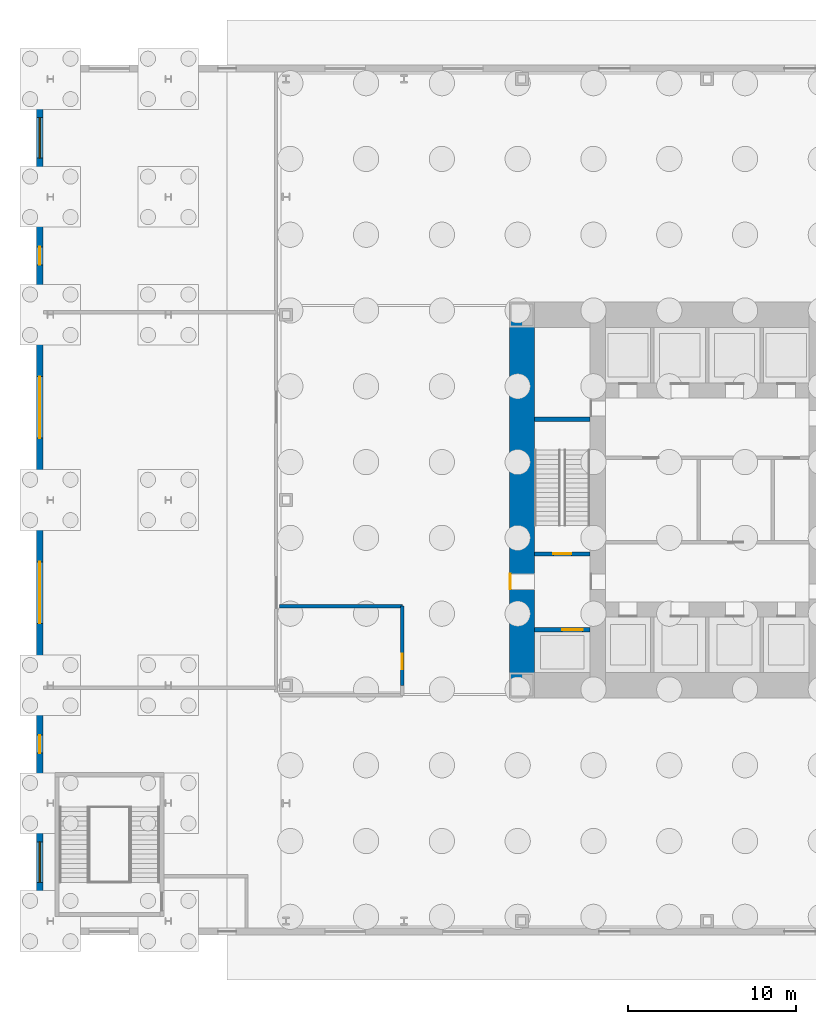
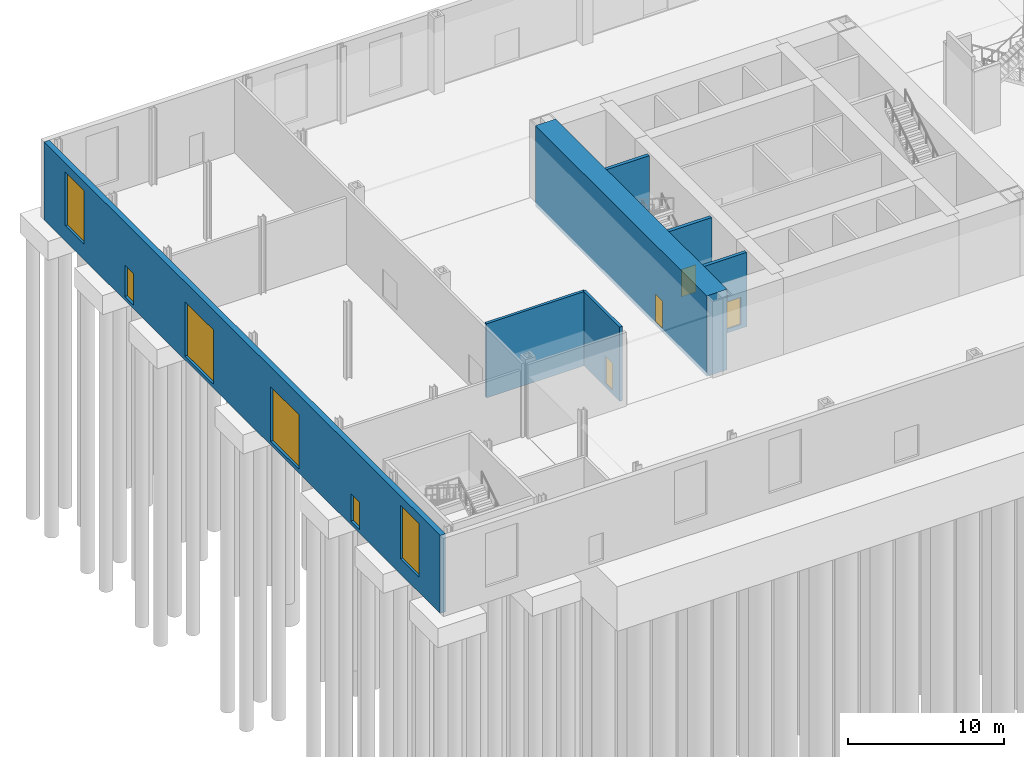
# One storey, part 8 of 16: 8 doors, 7 walls, 2 windows, 10 openings.
"""IFC4 building model written with IfcOpenShell, lengths in metres."""

from ifc_helpers import new_model, si_unit, direction, frame, frame_2d, origin, place, context, subcontext, project, spatial, rectangle, extrude, material, layer, layer_set, type_object, element, fill, save


model = new_model("IFC4")

# Units and contexts
model_context = context("Model", 3, precision=1e-05, world=origin(), true_north=direction((0.0, 1.0)))
body_context = subcontext(model_context, "Body", "Model", "MODEL_VIEW")
ifc_project = project(units=[si_unit("LENGTHUNIT", "METRE"), si_unit("AREAUNIT", "SQUARE_METRE"), si_unit("VOLUMEUNIT", "CUBIC_METRE"), si_unit("PLANEANGLEUNIT", "RADIAN"), si_unit("MASSUNIT", "GRAM", prefix="KILO")], contexts=[model_context])

# Site, building, storey
site_placement = place(None, origin())
site = spatial("IfcSite", under=ifc_project, at=site_placement, CompositionType="ELEMENT")
building_placement = place(site_placement, origin())
building = spatial("IfcBuilding", under=site, at=building_placement, Name="Trevanion Tower", CompositionType="ELEMENT")
storey_placement = place(building_placement, origin())
storey = spatial("IfcBuildingStorey", under=building, at=storey_placement, Name="L00", CompositionType="ELEMENT", Elevation=0.0)

# Wall, opening, door
ifc_material_1 = material(Name="Concrete 10,000 psi", Category="concrete")
ifc_layer_1 = layer(ifc_material_1, 1.5)
ifc_layer_set_1 = layer_set([ifc_layer_1], Name="CW1 core wall 1500")
wall_type_1 = type_object("IfcWallType", Name="CW1 core wall 1500", PredefinedType="SHEAR", material=ifc_layer_set_1)
wall_1_placement = place(storey_placement, frame((-11.0, 11.0, -0.300048828125), z_axis=(0.0, 0.0, 1.0), x_axis=(0.0, -1.0, 0.0)))
wall_1 = element("IfcWall", 1, at=wall_1_placement, inside=storey, type_object=wall_type_1, Name="CW1 CW L00", PredefinedType="SHEAR", context=body_context, shape_type="SweptSolid", body=[
    extrude(rectangle(XDim=22.0, YDim=1.5, at=frame_2d((11.0, 0.0))), origin(), (0.0, 0.0, 1.0), 6.300048828125),
])
opening_1_placement = place(wall_1_placement, frame((15.392578125, 0.0, 0.300048828125)))
opening_1 = element("IfcOpeningElement", 2, at=opening_1_placement, cuts=wall_1, Name="Opening 00-002", PredefinedType="OPENING", context=body_context, shape_type="SweptSolid", body=[
    extrude(rectangle(XDim=0.9150390625, YDim=2.134033203125, at=frame_2d((0.45751953125, 1.06689453125))), frame((0.0, 0.760009765625, 0.0), z_axis=(0.0, -1.0, 0.0), x_axis=(1.0, 0.0, 0.0)), (0.0, 0.0, 1.0), 1.52001953125),
])
ifc_material_2 = material(Name="Hollow metal, fire rated", Category="steel")
door_type_1 = type_object("IfcDoorType", Name="D3 fire lift lobby door", OperationType="SINGLE_SWING_RIGHT", PredefinedType="DOOR", material=ifc_material_2)
door_1_placement = place(opening_1_placement, origin())
door_1 = element("IfcDoor", 3, at=door_1_placement, inside=storey, type_object=door_type_1, Name="Door 00-002", OperationType="SINGLE_SWING_RIGHT", OverallHeight=2.134033203125, OverallWidth=0.9150390625, PredefinedType="DOOR", context=body_context, shape_type="SweptSolid", body=[
    extrude(rectangle(XDim=0.9150390625, YDim=2.134033203125, at=frame_2d((0.45751953125, 1.06689453125))), frame((0.0, -0.6748046875, 0.0), z_axis=(0.0, -1.0, 0.0), x_axis=(1.0, 0.0, 0.0)), (0.0, 0.0, 1.0), 0.050048828125),
])
fill(opening_1, door_1)

# Wall, openings, doors, windows
ifc_material_3 = material(Name="Granite cladding on concrete masonry", Category="masonry")
ifc_layer_2 = layer(ifc_material_3, 0.39990234375)
ifc_layer_set_2 = layer_set([ifc_layer_2], Name="EW1 granite-faced wall 400")
wall_type_2 = type_object("IfcWallType", Name="EW1 granite-faced wall 400", PredefinedType="SOLIDWALL", material=ifc_layer_set_2)
wall_2_placement = place(storey_placement, frame((-39.6201171875, 25.419921875, -0.300048828125), z_axis=(0.0, 0.0, 1.0), x_axis=(0.0, -1.0, 0.0)))
wall_2 = element("IfcWall", 4, at=wall_2_placement, inside=storey, type_object=wall_type_2, Name="EW1 W L00", PredefinedType="SOLIDWALL", context=body_context, shape_type="SweptSolid", body=[
    extrude(rectangle(XDim=50.83984375, YDim=0.39990234375, at=frame_2d((25.419921875, 0.0))), origin(), (0.0, 0.0, 1.0), 6.110107421875),
])
opening_2_placement = place(wall_2_placement, frame((45.719970703125, 0.0, 1.199951171875)))
opening_2 = element("IfcOpeningElement", 5, at=opening_2_placement, cuts=wall_2, Name="Opening WN1", PredefinedType="OPENING", context=body_context, shape_type="SweptSolid", body=[
    extrude(rectangle(XDim=2.39990234375, YDim=4.199951171875, at=frame_2d((1.199951171875, 2.10009765625))), frame((0.0, 0.2099609375, 0.0), z_axis=(0.0, -1.0, 0.0), x_axis=(1.0, 0.0, 0.0)), (0.0, 0.0, 1.0), 0.419921875),
])
opening_3_placement = place(wall_2_placement, frame((39.385009765625, 0.0, 0.300048828125)))
opening_3 = element("IfcOpeningElement", 6, at=opening_3_placement, cuts=wall_2, Name="Opening 00E09", PredefinedType="OPENING", context=body_context, shape_type="SweptSolid", body=[
    extrude(rectangle(XDim=1.070068359375, YDim=2.1298828125, at=frame_2d((0.53515625, 1.06494140625))), frame((0.0, 0.2099609375, 0.0), z_axis=(0.0, -1.0, 0.0), x_axis=(1.0, 0.0, 0.0)), (0.0, 0.0, 1.0), 0.419921875),
])
opening_4_placement = place(wall_2_placement, frame((29.090087890625, 0.0, 0.300048828125)))
opening_4 = element("IfcOpeningElement", 7, at=opening_4_placement, cuts=wall_2, Name="Opening 00E10", PredefinedType="OPENING", context=body_context, shape_type="SweptSolid", body=[
    extrude(rectangle(XDim=3.659912109375, YDim=4.27001953125, at=frame_2d((1.830078125, 2.135009765625))), frame((0.0, 0.2099609375, 0.0), z_axis=(0.0, -1.0, 0.0), x_axis=(1.0, 0.0, 0.0)), (0.0, 0.0, 1.0), 0.419921875),
])
opening_5_placement = place(wall_2_placement, frame((18.090087890625, 0.0, 0.300048828125)))
opening_5 = element("IfcOpeningElement", 8, at=opening_5_placement, cuts=wall_2, Name="Opening 00E11", PredefinedType="OPENING", context=body_context, shape_type="SweptSolid", body=[
    extrude(rectangle(XDim=3.659912109375, YDim=4.27001953125, at=frame_2d((1.830078125, 2.135009765625))), frame((0.0, 0.2099609375, 0.0), z_axis=(0.0, -1.0, 0.0), x_axis=(1.0, 0.0, 0.0)), (0.0, 0.0, 1.0), 0.419921875),
])
opening_6_placement = place(wall_2_placement, frame((10.385009765625, 0.0, 0.300048828125)))
opening_6 = element("IfcOpeningElement", 9, at=opening_6_placement, cuts=wall_2, Name="Opening 00E12", PredefinedType="OPENING", context=body_context, shape_type="SweptSolid", body=[
    extrude(rectangle(XDim=1.070068359375, YDim=2.43994140625, at=frame_2d((0.53515625, 1.219970703125))), frame((0.0, 0.2099609375, 0.0), z_axis=(0.0, -1.0, 0.0), x_axis=(1.0, 0.0, 0.0)), (0.0, 0.0, 1.0), 0.419921875),
])
opening_7_placement = place(wall_2_placement, frame((2.719970703125, 0.0, 1.199951171875)))
opening_7 = element("IfcOpeningElement", 10, at=opening_7_placement, cuts=wall_2, Name="Opening WN1", PredefinedType="OPENING", context=body_context, shape_type="SweptSolid", body=[
    extrude(rectangle(XDim=2.39990234375, YDim=4.199951171875, at=frame_2d((1.199951171875, 2.10009765625))), frame((0.0, 0.2099609375, 0.0), z_axis=(0.0, -1.0, 0.0), x_axis=(1.0, 0.0, 0.0)), (0.0, 0.0, 1.0), 0.419921875),
])
ifc_material_4 = material(Name="Bronze-finish aluminium and glass", Category="aluminium")
door_type_2 = type_object("IfcDoorType", Name="ED2 bronze and glass shop door", OperationType="SINGLE_SWING_LEFT", PredefinedType="DOOR", material=ifc_material_4)
door_2_placement = place(opening_6_placement, frame((1.070068359375, 0.0, 0.0), z_axis=(0.0, 0.0, 1.0), x_axis=(-1.0, 0.0, 0.0)))
door_2 = element("IfcDoor", 11, at=door_2_placement, inside=storey, type_object=door_type_2, Name="Door 00E12", OperationType="SINGLE_SWING_LEFT", OverallHeight=2.43994140625, OverallWidth=1.070068359375, PredefinedType="DOOR", context=body_context, shape_type="SweptSolid", body=[
    extrude(rectangle(XDim=1.070068359375, YDim=2.43994140625, at=frame_2d((0.53515625, 1.219970703125))), frame((0.0, 0.02490234375, 0.0), z_axis=(0.0, -1.0, 0.0), x_axis=(1.0, 0.0, 0.0)), (0.0, 0.0, 1.0), 0.050048828125),
])
fill(opening_6, door_2)
ifc_material_5 = material(Name="Steel", Category="steel")
door_type_3 = type_object("IfcDoorType", Name="ED3 steel exit door", OperationType="SINGLE_SWING_LEFT", PredefinedType="DOOR", material=ifc_material_5)
door_3_placement = place(opening_3_placement, frame((1.070068359375, 0.0, 0.0), z_axis=(0.0, 0.0, 1.0), x_axis=(-1.0, 0.0, 0.0)))
door_3 = element("IfcDoor", 12, at=door_3_placement, inside=storey, type_object=door_type_3, Name="Door 00E09", OperationType="SINGLE_SWING_LEFT", OverallHeight=2.1298828125, OverallWidth=1.070068359375, PredefinedType="DOOR", context=body_context, shape_type="SweptSolid", body=[
    extrude(rectangle(XDim=1.070068359375, YDim=2.1298828125, at=frame_2d((0.53515625, 1.06494140625))), frame((0.0, 0.02490234375, 0.0), z_axis=(0.0, -1.0, 0.0), x_axis=(1.0, 0.0, 0.0)), (0.0, 0.0, 1.0), 0.050048828125),
])
fill(opening_3, door_3)
ifc_material_6 = material(Name="Steel", Category="steel")
door_type_4 = type_object("IfcDoorType", Name="ED4 overhead service door", OperationType="ROLLINGUP", PredefinedType="DOOR", material=ifc_material_6)
door_4_placement = place(opening_4_placement, origin())
door_4 = element("IfcDoor", 13, at=door_4_placement, inside=storey, type_object=door_type_4, Name="Door 00E10", OperationType="SINGLE_SWING_LEFT", OverallHeight=4.27001953125, OverallWidth=3.659912109375, PredefinedType="DOOR", context=body_context, shape_type="SweptSolid", body=[
    extrude(rectangle(XDim=3.659912109375, YDim=4.27001953125, at=frame_2d((1.830078125, 2.135009765625))), frame((0.0, 0.02490234375, 0.0), z_axis=(0.0, -1.0, 0.0), x_axis=(1.0, 0.0, 0.0)), (0.0, 0.0, 1.0), 0.050048828125),
])
fill(opening_4, door_4)
door_5_placement = place(opening_5_placement, origin())
door_5 = element("IfcDoor", 14, at=door_5_placement, inside=storey, type_object=door_type_4, Name="Door 00E11", OperationType="SINGLE_SWING_LEFT", OverallHeight=4.27001953125, OverallWidth=3.659912109375, PredefinedType="DOOR", context=body_context, shape_type="SweptSolid", body=[
    extrude(rectangle(XDim=3.659912109375, YDim=4.27001953125, at=frame_2d((1.830078125, 2.135009765625))), frame((0.0, 0.02490234375, 0.0), z_axis=(0.0, -1.0, 0.0), x_axis=(1.0, 0.0, 0.0)), (0.0, 0.0, 1.0), 0.050048828125),
])
fill(opening_5, door_5)
ifc_material_7 = material(Name="Bronze-finish aluminium frame, insulating glass", Category="aluminium")
window_type = type_object("IfcWindowType", Name="WN1 window 2400x4200", PartitioningType="SINGLE_PANEL", PredefinedType="WINDOW", material=ifc_material_7)
window_1_placement = place(opening_2_placement, origin())
window_1 = element("IfcWindow", 15, at=window_1_placement, inside=storey, type_object=window_type, Name="WN1 W L00", OverallHeight=4.199951171875, OverallWidth=2.39990234375, PartitioningType="SINGLE_PANEL", PredefinedType="WINDOW", context=body_context, shape_type="SweptSolid", body=[
    extrude(rectangle(XDim=2.39990234375, YDim=4.199951171875, at=frame_2d((1.199951171875, 2.10009765625))), frame((0.0, 0.030029296875, 0.0), z_axis=(0.0, -1.0, 0.0), x_axis=(1.0, 0.0, 0.0)), (0.0, 0.0, 1.0), 0.06005859375),
])
fill(opening_2, window_1)
window_2_placement = place(opening_7_placement, origin())
window_2 = element("IfcWindow", 16, at=window_2_placement, inside=storey, type_object=window_type, Name="WN1 W L00", OverallHeight=4.199951171875, OverallWidth=2.39990234375, PartitioningType="SINGLE_PANEL", PredefinedType="WINDOW", context=body_context, shape_type="SweptSolid", body=[
    extrude(rectangle(XDim=2.39990234375, YDim=4.199951171875, at=frame_2d((1.199951171875, 2.10009765625))), frame((0.0, 0.030029296875, 0.0), z_axis=(0.0, -1.0, 0.0), x_axis=(1.0, 0.0, 0.0)), (0.0, 0.0, 1.0), 0.06005859375),
])
fill(opening_7, window_2)

# Wall, opening, door
ifc_material_8 = material(Name="Concrete masonry, grouted", Category="masonry")
ifc_layer_3 = layer(ifc_material_8, 0.199951171875)
ifc_layer_set_3 = layer_set([ifc_layer_3], Name="PT2 partition 200 2 HR")
wall_type_3 = type_object("IfcWallType", Name="PT2 partition 200 2 HR", PredefinedType="PARTITIONING", material=ifc_layer_set_3)
wall_3_placement = place(storey_placement, frame((-18.10009765625, -11.0, 0.0), z_axis=(0.0, 0.0, 1.0), x_axis=(0.0, 1.0, 0.0)))
wall_3 = element("IfcWall", 17, at=wall_3_placement, inside=storey, type_object=wall_type_3, Name="PT2 L00 FC1 2", PredefinedType="PARTITIONING", context=body_context, shape_type="SweptSolid", body=[
    extrude(rectangle(XDim=4.699951171875, YDim=0.199951171875, at=frame_2d((2.35009765625, 0.0))), origin(), (0.0, 0.0, 1.0), 5.81005859375),
])
opening_8_placement = place(wall_3_placement, frame((0.9423828125, 0.0, 0.300048828125)))
opening_8 = element("IfcOpeningElement", 18, at=opening_8_placement, cuts=wall_3, Name="Opening 00-028", PredefinedType="OPENING", context=body_context, shape_type="SweptSolid", body=[
    extrude(rectangle(XDim=0.9150390625, YDim=2.134033203125, at=frame_2d((0.45751953125, 1.06689453125))), frame((0.0, 0.10986328125, 0.0), z_axis=(0.0, -1.0, 0.0), x_axis=(1.0, 0.0, 0.0)), (0.0, 0.0, 1.0), 0.219970703125),
])
ifc_material_9 = material(Name="Hollow metal, fire rated", Category="steel")
door_type_5 = type_object("IfcDoorType", Name="D5 service room door", OperationType="SINGLE_SWING_RIGHT", PredefinedType="DOOR", material=ifc_material_9)
door_6_placement = place(opening_8_placement, origin())
door_6 = element("IfcDoor", 19, at=door_6_placement, inside=storey, type_object=door_type_5, Name="Door 00-028", OperationType="SINGLE_SWING_RIGHT", OverallHeight=2.134033203125, OverallWidth=0.9150390625, PredefinedType="DOOR", context=body_context, shape_type="SweptSolid", body=[
    extrude(rectangle(XDim=0.9150390625, YDim=2.134033203125, at=frame_2d((0.45751953125, 1.06689453125))), frame((0.0, 0.02490234375, 0.0), z_axis=(0.0, -1.0, 0.0), x_axis=(1.0, 0.0, 0.0)), (0.0, 0.0, 1.0), 0.050048828125),
])
fill(opening_8, door_6)

# Wall
wall_4_placement = place(storey_placement, frame((-18.10009765625, -6.300048828125, 0.0), z_axis=(0.0, 0.0, 1.0), x_axis=(-1.0, 0.0, 0.0)))
element("IfcWall", 20, at=wall_4_placement, inside=storey, type_object=wall_type_3, Name="PT2 L00 FC2", PredefinedType="PARTITIONING", context=body_context, shape_type="SweptSolid", body=[
    extrude(rectangle(XDim=7.2998046875, YDim=0.199951171875, at=frame_2d((3.64990234375, 0.0))), origin(), (0.0, 0.0, 1.0), 5.81005859375),
])

# Wall, opening, door
ifc_material_10 = material(Name="Concrete masonry, grouted, two-hour", Category="masonry")
ifc_layer_4 = layer(ifc_material_10, 0.25)
ifc_layer_set_4 = layer_set([ifc_layer_4], Name="PT3 partition 250 2 HR")
wall_type_4 = type_object("IfcWallType", Name="PT3 partition 250 2 HR", PredefinedType="PARTITIONING", material=ifc_layer_set_4)
wall_5_placement = place(storey_placement, frame((-6.949951171875, -7.699951171875, 0.0), z_axis=(0.0, 0.0, 1.0), x_axis=(-1.0, 0.0, 0.0)))
wall_5 = element("IfcWall", 21, at=wall_5_placement, inside=storey, type_object=wall_type_4, Name="PT3 L00 WP3", PredefinedType="PARTITIONING", context=body_context, shape_type="SweptSolid", body=[
    extrude(rectangle(XDim=3.300048828125, YDim=0.25, at=frame_2d((1.64990234375, 0.0))), origin(), (0.0, 0.0, 1.0), 5.81005859375),
])
opening_9_placement = place(wall_5_placement, frame((0.449951171875, 0.0, 0.300048828125)))
opening_9 = element("IfcOpeningElement", 22, at=opening_9_placement, cuts=wall_5, Name="Opening 00-008", PredefinedType="OPENING", context=body_context, shape_type="SweptSolid", body=[
    extrude(rectangle(XDim=1.218994140625, YDim=2.134033203125, at=frame_2d((0.609375, 1.06689453125))), frame((0.0, 0.135009765625, 0.0), z_axis=(0.0, -1.0, 0.0), x_axis=(1.0, 0.0, 0.0)), (0.0, 0.0, 1.0), 0.27001953125),
])
ifc_material_11 = material(Name="Stainless steel, fire rated", Category="steel")
door_type_6 = type_object("IfcDoorType", Name="LD2 fire service lift landing door", OperationType="SLIDING_TO_LEFT", PredefinedType="DOOR", material=ifc_material_11)
door_7_placement = place(opening_9_placement, origin())
door_7 = element("IfcDoor", 23, at=door_7_placement, inside=storey, type_object=door_type_6, Name="Door 00-008", OperationType="SLIDING_TO_LEFT", OverallHeight=2.134033203125, OverallWidth=1.218994140625, PredefinedType="DOOR", context=body_context, shape_type="SweptSolid", body=[
    extrude(rectangle(XDim=1.218994140625, YDim=2.134033203125, at=frame_2d((0.609375, 1.06689453125))), frame((0.0, 0.02490234375, 0.0), z_axis=(0.0, -1.0, 0.0), x_axis=(1.0, 0.0, 0.0)), (0.0, 0.0, 1.0), 0.050048828125),
])
fill(opening_9, door_7)

# Wall
ifc_material_12 = material(Name="Reinforced masonry, fully grouted", Category="masonry")
ifc_layer_5 = layer(ifc_material_12, 0.25)
ifc_layer_set_5 = layer_set([ifc_layer_5], Name="SW1 stair shaft wall 250")
wall_type_5 = type_object("IfcWallType", Name="SW1 stair shaft wall 250", PredefinedType="SOLIDWALL", material=ifc_layer_set_5)
wall_6_placement = place(storey_placement, frame((-6.949951171875, 4.800048828125, 0.0), z_axis=(0.0, 0.0, 1.0), x_axis=(-1.0, 0.0, 0.0)))
element("IfcWall", 24, at=wall_6_placement, inside=storey, type_object=wall_type_5, Name="SW1 L00 WP1", PredefinedType="SOLIDWALL", context=body_context, shape_type="SweptSolid", body=[
    extrude(rectangle(XDim=3.300048828125, YDim=0.25, at=frame_2d((1.64990234375, 0.0))), origin(), (0.0, 0.0, 1.0), 5.81005859375),
])

# Wall, opening, door
wall_7_placement = place(storey_placement, frame((-6.949951171875, -3.199951171875, 0.0), z_axis=(0.0, 0.0, 1.0), x_axis=(-1.0, 0.0, 0.0)))
wall_7 = element("IfcWall", 25, at=wall_7_placement, inside=storey, type_object=wall_type_5, Name="SW1 L00 WP2", PredefinedType="SOLIDWALL", context=body_context, shape_type="SweptSolid", body=[
    extrude(rectangle(XDim=3.300048828125, YDim=0.25, at=frame_2d((1.64990234375, 0.0))), origin(), (0.0, 0.0, 1.0), 5.81005859375),
])
opening_10_placement = place(wall_7_placement, frame((1.116455078125, 0.0, 0.300048828125)))
opening_10 = element("IfcOpeningElement", 26, at=opening_10_placement, cuts=wall_7, Name="Opening 00-006", PredefinedType="OPENING", context=body_context, shape_type="SweptSolid", body=[
    extrude(rectangle(XDim=1.06689453125, YDim=2.134033203125, at=frame_2d((0.533447265625, 1.06689453125))), frame((0.0, 0.135009765625, 0.0), z_axis=(0.0, -1.0, 0.0), x_axis=(1.0, 0.0, 0.0)), (0.0, 0.0, 1.0), 0.27001953125),
])
ifc_material_13 = material(Name="Hollow metal, fire rated", Category="steel")
door_type_7 = type_object("IfcDoorType", Name="D2 exit stair door", OperationType="SINGLE_SWING_LEFT", PredefinedType="DOOR", material=ifc_material_13)
door_8_placement = place(opening_10_placement, origin())
door_8 = element("IfcDoor", 27, at=door_8_placement, inside=storey, type_object=door_type_7, Name="Door 00-006", OperationType="SINGLE_SWING_LEFT", OverallHeight=2.134033203125, OverallWidth=1.06689453125, PredefinedType="DOOR", context=body_context, shape_type="SweptSolid", body=[
    extrude(rectangle(XDim=1.06689453125, YDim=2.134033203125, at=frame_2d((0.533447265625, 1.06689453125))), frame((0.0, 0.02490234375, 0.0), z_axis=(0.0, -1.0, 0.0), x_axis=(1.0, 0.0, 0.0)), (0.0, 0.0, 1.0), 0.050048828125),
])
fill(opening_10, door_8)

save(model, "model.ifc")
